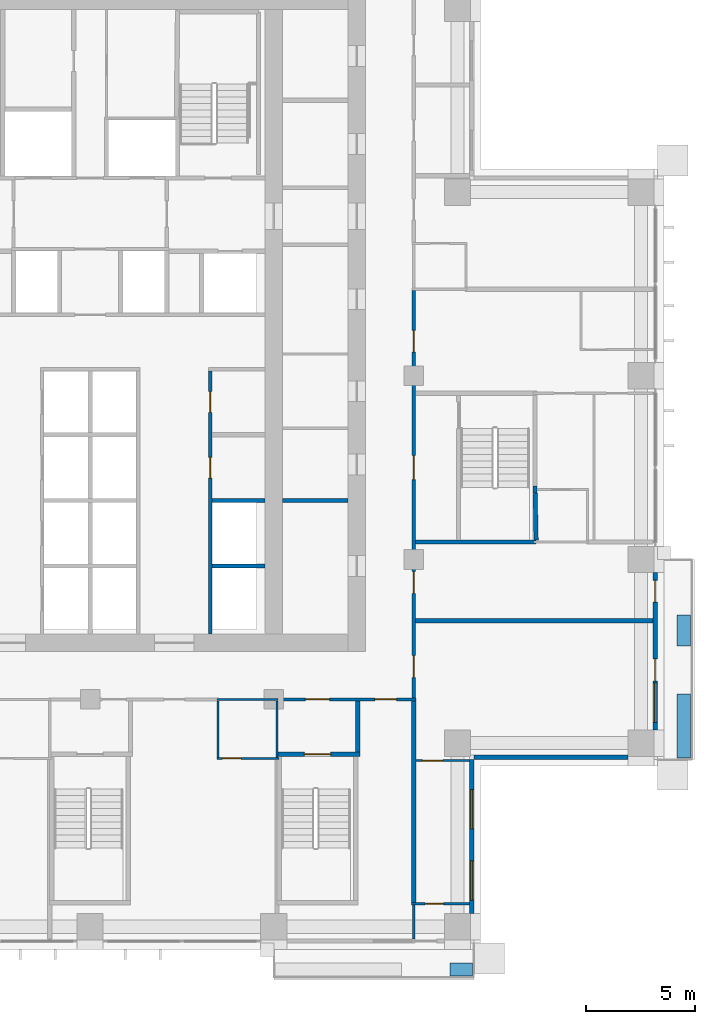
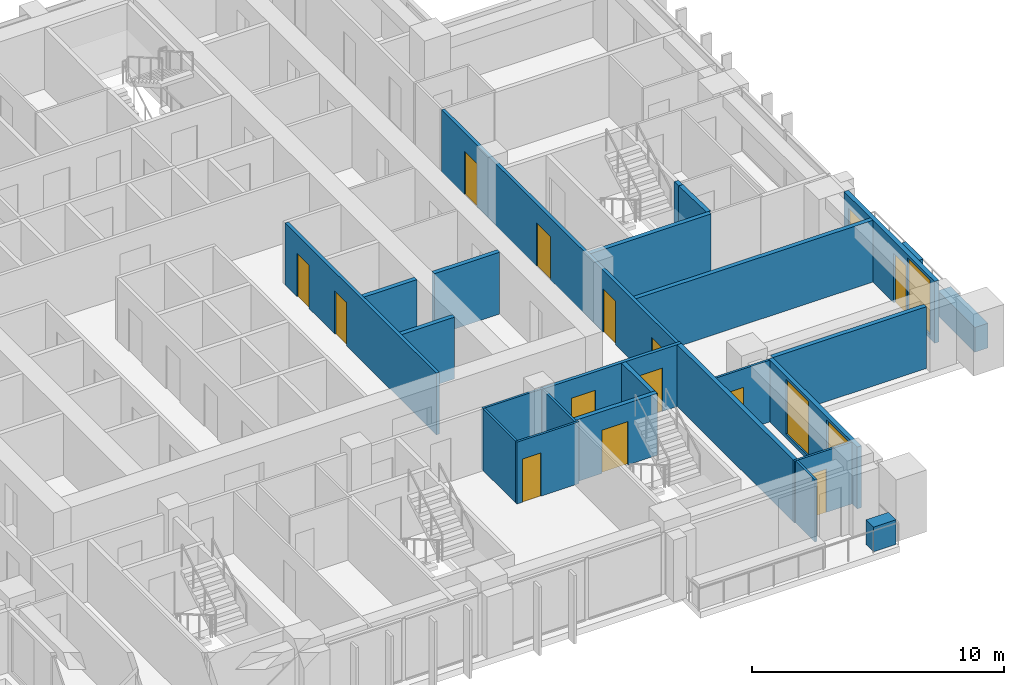
# One storey, part 12 of 21: 26 walls, 14 doors, 3 windows, 17 openings.
"""IFC4 building model written with IfcOpenShell, lengths in metres."""

from ifc_helpers import new_model, si_unit, direction, frame, frame_2d, origin, place, context, subcontext, project, spatial, rectangle, extrude, material, layer, layer_set, type_object, element, fill, save


model = new_model("IFC4")

# Units and contexts
model_context = context("Model", 3, precision=1e-05, world=origin(), true_north=direction((0.0, 1.0)))
body_context = subcontext(model_context, "Body", "Model", "MODEL_VIEW")
ifc_project = project(units=[si_unit("LENGTHUNIT", "METRE"), si_unit("AREAUNIT", "SQUARE_METRE"), si_unit("VOLUMEUNIT", "CUBIC_METRE"), si_unit("PLANEANGLEUNIT", "RADIAN"), si_unit("MASSUNIT", "GRAM", prefix="KILO")], contexts=[model_context])

# Site, building, storey
site_placement = place(None, origin())
site = spatial("IfcSite", under=ifc_project, at=site_placement, CompositionType="ELEMENT")
building_placement = place(site_placement, origin())
building = spatial("IfcBuilding", under=site, at=building_placement, Name="Vermilion Ogive Tower", CompositionType="ELEMENT")
storey_placement = place(building_placement, frame((0.0, 0.0, 118.35009765625)))
storey = spatial("IfcBuildingStorey", under=building, at=storey_placement, Name="L30", CompositionType="ELEMENT", Elevation=118.35009765625)

# Wall, opening, door
ifc_material_1 = material(Name="Gypsum board partition on steel studs", Category="steel")
ifc_layer_1 = layer(ifc_material_1, 0.10009765625)
ifc_layer_set_1 = layer_set([ifc_layer_1], Name="Partition 100 bath")
wall_type_1 = type_object("IfcWallType", Name="Partition 100 bath", PredefinedType="PARTITIONING", material=ifc_layer_set_1)
wall_1_placement = place(storey_placement, frame((14.699951171875, -19.949951171875, 0.0), z_axis=(0.0, 0.0, 1.0), x_axis=(1.0, 0.0, 0.0)))
wall_1 = element("IfcWall", 1, at=wall_1_placement, inside=storey, type_object=wall_type_1, Name="L30-W-W001", PredefinedType="PARTITIONING", context=body_context, shape_type="SweptSolid", body=[
    extrude(rectangle(XDim=2.650146484375, YDim=0.10009765625, at=frame_2d((1.3251953125, 0.0))), origin(), (0.0, 0.0, 1.0), 3.0),
])
opening_1_placement = place(wall_1_placement, frame((0.625, 0.0, 0.0)))
opening_1 = element("IfcOpeningElement", 2, at=opening_1_placement, cuts=wall_1, Name="Opening D2G6018", PredefinedType="OPENING", context=body_context, shape_type="SweptSolid", body=[
    extrude(rectangle(XDim=0.85009765625, YDim=2.10009765625, at=frame_2d((0.425048828125, 1.050048828125))), frame((0.0, 0.06005859375, 0.0), z_axis=(0.0, -1.0, 0.0), x_axis=(1.0, 0.0, 0.0)), (0.0, 0.0, 1.0), 0.1201171875),
])
ifc_material_2 = material(Name="Timber door leaf", Category="wood")
door_type_1 = type_object("IfcDoorType", Name="Bath door 850 x 2100 FD30", OperationType="SINGLE_SWING_LEFT", PredefinedType="DOOR", material=ifc_material_2)
door_1_placement = place(opening_1_placement, origin())
door_1 = element("IfcDoor", 3, at=door_1_placement, inside=storey, type_object=door_type_1, Name="L30-D-D018", OperationType="SINGLE_SWING_RIGHT", OverallHeight=2.10009765625, OverallWidth=0.85009765625, PredefinedType="DOOR", context=body_context, shape_type="SweptSolid", body=[
    extrude(rectangle(XDim=0.85009765625, YDim=2.10009765625, at=frame_2d((0.425048828125, 1.050048828125))), frame((0.0, 0.02490234375, 0.0), z_axis=(0.0, -1.0, 0.0), x_axis=(1.0, 0.0, 0.0)), (0.0, 0.0, 1.0), 0.050048828125),
])
fill(opening_1, door_1)

wall_2_placement = place(storey_placement, frame((5.802001953125, -13.300048828125, 0.0), z_axis=(0.0, 0.0, 1.0), x_axis=(1.0, 0.0, 0.0)))
wall_2 = element("IfcWall", 4, at=wall_2_placement, inside=storey, type_object=wall_type_1, Name="L30-W-W009", PredefinedType="PARTITIONING", context=body_context, shape_type="SweptSolid", body=[
    extrude(rectangle(XDim=2.847900390625, YDim=0.10009765625, at=frame_2d((1.423828125, 0.0))), origin(), (0.0, 0.0, 1.0), 3.0),
])
opening_2_placement = place(wall_2_placement, frame((0.248046875, 0.0, 0.0)))
opening_2 = element("IfcOpeningElement", 5, at=opening_2_placement, cuts=wall_2, Name="Opening D2G6015", PredefinedType="OPENING", context=body_context, shape_type="SweptSolid", body=[
    extrude(rectangle(XDim=0.85009765625, YDim=2.10009765625, at=frame_2d((0.425048828125, 1.050048828125))), frame((0.0, 0.06005859375, 0.0), z_axis=(0.0, -1.0, 0.0), x_axis=(1.0, 0.0, 0.0)), (0.0, 0.0, 1.0), 0.1201171875),
])
door_2_placement = place(opening_2_placement, origin())
door_2 = element("IfcDoor", 6, at=door_2_placement, inside=storey, type_object=door_type_1, Name="L30-D-D015", OperationType="SINGLE_SWING_LEFT", OverallHeight=2.10009765625, OverallWidth=0.85009765625, PredefinedType="DOOR", context=body_context, shape_type="SweptSolid", body=[
    extrude(rectangle(XDim=0.85009765625, YDim=2.10009765625, at=frame_2d((0.425048828125, 1.050048828125))), frame((0.0, 0.02490234375, 0.0), z_axis=(0.0, -1.0, 0.0), x_axis=(1.0, 0.0, 0.0)), (0.0, 0.0, 1.0), 0.050048828125),
])
fill(opening_2, door_2)

# Walls
wall_3_placement = place(storey_placement, frame((5.800048828125, -10.60009765625, 0.0), z_axis=(0.0, 0.0, 1.0), x_axis=(1.0, 0.0, 0.0)))
element("IfcWall", 7, at=wall_3_placement, inside=storey, type_object=wall_type_1, Name="L30-W-W016", PredefinedType="PARTITIONING", context=body_context, shape_type="SweptSolid", body=[
    extrude(rectangle(XDim=2.800048828125, YDim=0.10009765625, at=frame_2d((1.39990234375, 0.0))), origin(), (0.0, 0.0, 1.0), 3.0),
])
wall_4_placement = place(storey_placement, frame((5.85009765625, -13.248046875, 0.0), z_axis=(0.0, 0.0, 1.0), x_axis=(0.0, 1.0, 0.0)))
element("IfcWall", 8, at=wall_4_placement, inside=storey, type_object=wall_type_1, Name="L30-W-W062", PredefinedType="PARTITIONING", context=body_context, shape_type="SweptSolid", body=[
    extrude(rectangle(XDim=2.572998046875, YDim=0.10009765625, at=frame_2d((1.28662109375, 0.0))), origin(), (0.0, 0.0, 1.0), 3.0),
])
wall_5_placement = place(storey_placement, frame((8.550048828125, -13.25, 0.0), z_axis=(0.0, 0.0, 1.0), x_axis=(0.0, 1.0, 0.0)))
element("IfcWall", 9, at=wall_5_placement, inside=storey, type_object=wall_type_1, Name="L30-W-W064", PredefinedType="PARTITIONING", context=body_context, shape_type="SweptSolid", body=[
    extrude(rectangle(XDim=2.574951171875, YDim=0.10009765625, at=frame_2d((1.28759765625, 0.0))), origin(), (0.0, 0.0, 1.0), 3.0),
])
wall_6_placement = place(storey_placement, frame((14.800048828125, -21.550048828125, 0.0), z_axis=(0.0, 0.0, 1.0), x_axis=(0.0, 1.0, 0.0)))
element("IfcWall", 10, at=wall_6_placement, inside=storey, type_object=wall_type_1, Name="L30-W-W068", PredefinedType="PARTITIONING", context=body_context, shape_type="SweptSolid", body=[
    extrude(rectangle(XDim=1.550048828125, YDim=0.10009765625, at=frame_2d((0.77490234375, 0.0))), origin(), (0.0, 0.0, 1.0), 3.0),
])

# Wall, opening, door
ifc_material_3 = material(Name="Gypsum board partition on steel studs", Category="steel")
ifc_layer_2 = layer(ifc_material_3, 0.10009765625)
ifc_layer_set_2 = layer_set([ifc_layer_2], Name="Partition 100 inner")
wall_type_2 = type_object("IfcWallType", Name="Partition 100 inner", PredefinedType="PARTITIONING", material=ifc_layer_set_2)
wall_7_placement = place(storey_placement, frame((14.89990234375, -13.39990234375, 0.0), z_axis=(0.0, 0.0, 1.0), x_axis=(1.0, 0.0, 0.0)))
wall_7 = element("IfcWall", 11, at=wall_7_placement, inside=storey, type_object=wall_type_2, Name="L30-W-W007", PredefinedType="PARTITIONING", context=body_context, shape_type="SweptSolid", body=[
    extrude(rectangle(XDim=2.4501953125, YDim=0.10009765625, at=frame_2d((1.22509765625, 0.0))), origin(), (0.0, 0.0, 1.0), 3.0),
])
opening_3_placement = place(wall_7_placement, frame((0.30029296875, 0.0, 0.0)))
opening_3 = element("IfcOpeningElement", 12, at=opening_3_placement, cuts=wall_7, Name="Opening D2G6017", PredefinedType="OPENING", context=body_context, shape_type="SweptSolid", body=[
    extrude(rectangle(XDim=0.949951171875, YDim=2.10009765625, at=frame_2d((0.47509765625, 1.050048828125))), frame((0.0, 0.06005859375, 0.0), z_axis=(0.0, -1.0, 0.0), x_axis=(1.0, 0.0, 0.0)), (0.0, 0.0, 1.0), 0.1201171875),
])
ifc_material_4 = material(Name="Timber door leaf", Category="wood")
door_type_2 = type_object("IfcDoorType", Name="Inner door 950 x 2100 FD30", OperationType="SINGLE_SWING_LEFT", PredefinedType="DOOR", material=ifc_material_4)
door_3_placement = place(opening_3_placement, origin())
door_3 = element("IfcDoor", 13, at=door_3_placement, inside=storey, type_object=door_type_2, Name="L30-D-D017", OperationType="SINGLE_SWING_RIGHT", OverallHeight=2.10009765625, OverallWidth=0.949951171875, PredefinedType="DOOR", context=body_context, shape_type="SweptSolid", body=[
    extrude(rectangle(XDim=0.949951171875, YDim=2.10009765625, at=frame_2d((0.47509765625, 1.050048828125))), frame((0.0, 0.02490234375, 0.0), z_axis=(0.0, -1.0, 0.0), x_axis=(1.0, 0.0, 0.0)), (0.0, 0.0, 1.0), 0.050048828125),
])
fill(opening_3, door_3)

# Wall, openings, doors
ifc_material_5 = material(Name="Gypsum board partition on steel studs", Category="steel")
ifc_layer_3 = layer(ifc_material_5, 0.14990234375)
ifc_layer_set_3 = layer_set([ifc_layer_3], Name="Partition 150 corridor")
wall_type_3 = type_object("IfcWallType", Name="Partition 150 corridor", PredefinedType="PARTITIONING", material=ifc_layer_set_3)
wall_8_placement = place(storey_placement, frame((8.5, -10.60009765625, 0.0), z_axis=(0.0, 0.0, 1.0), x_axis=(1.0, 0.0, 0.0)))
wall_8 = element("IfcWall", 14, at=wall_8_placement, inside=storey, type_object=wall_type_3, Name="L30-W-W017", PredefinedType="PARTITIONING", context=body_context, shape_type="SweptSolid", body=[
    extrude(rectangle(XDim=6.39990234375, YDim=0.14990234375, at=frame_2d((3.199951171875, 0.0))), origin(), (0.0, 0.0, 1.0), 3.0),
])
opening_4_placement = place(wall_8_placement, frame((1.35009765625, 0.0, 0.0)))
opening_4 = element("IfcOpeningElement", 15, at=opening_4_placement, cuts=wall_8, Name="Opening D2G6032", PredefinedType="OPENING", context=body_context, shape_type="SweptSolid", body=[
    extrude(rectangle(XDim=1.10009765625, YDim=2.10009765625, at=frame_2d((0.550048828125, 1.050048828125))), frame((0.0, 0.0849609375, 0.0), z_axis=(0.0, -1.0, 0.0), x_axis=(1.0, 0.0, 0.0)), (0.0, 0.0, 1.0), 0.169921875),
])
opening_5_placement = place(wall_8_placement, frame((4.52490234375, 0.0, 0.0)))
opening_5 = element("IfcOpeningElement", 16, at=opening_5_placement, cuts=wall_8, Name="Opening D2G6039", PredefinedType="OPENING", context=body_context, shape_type="SweptSolid", body=[
    extrude(rectangle(XDim=1.0, YDim=2.10009765625, at=frame_2d((0.5, 1.050048828125))), frame((0.0, 0.0849609375, 0.0), z_axis=(0.0, -1.0, 0.0), x_axis=(1.0, 0.0, 0.0)), (0.0, 0.0, 1.0), 0.169921875),
])
ifc_material_6 = material(Name="Timber door leaf", Category="wood")
door_type_3 = type_object("IfcDoorType", Name="Stair door 1100 x 2100 FD60S", OperationType="SINGLE_SWING_LEFT", PredefinedType="DOOR", material=ifc_material_6)
door_4_placement = place(opening_4_placement, origin())
door_4 = element("IfcDoor", 17, at=door_4_placement, inside=storey, type_object=door_type_3, Name="L30-D-D032", OperationType="SINGLE_SWING_RIGHT", OverallHeight=2.10009765625, OverallWidth=1.10009765625, PredefinedType="DOOR", context=body_context, shape_type="SweptSolid", body=[
    extrude(rectangle(XDim=1.10009765625, YDim=2.10009765625, at=frame_2d((0.550048828125, 1.050048828125))), frame((0.0, 0.02490234375, 0.0), z_axis=(0.0, -1.0, 0.0), x_axis=(1.0, 0.0, 0.0)), (0.0, 0.0, 1.0), 0.050048828125),
])
fill(opening_4, door_4)
ifc_material_7 = material(Name="Timber door leaf", Category="wood")
door_type_4 = type_object("IfcDoorType", Name="Unit door 1000 x 2100 FD30S", OperationType="SINGLE_SWING_LEFT", PredefinedType="DOOR", material=ifc_material_7)
door_5_placement = place(opening_5_placement, origin())
door_5 = element("IfcDoor", 18, at=door_5_placement, inside=storey, type_object=door_type_4, Name="L30-D-D039", OperationType="SINGLE_SWING_RIGHT", OverallHeight=2.10009765625, OverallWidth=1.0, PredefinedType="DOOR", context=body_context, shape_type="SweptSolid", body=[
    extrude(rectangle(XDim=1.0, YDim=2.10009765625, at=frame_2d((0.5, 1.050048828125))), frame((0.0, 0.02490234375, 0.0), z_axis=(0.0, -1.0, 0.0), x_axis=(1.0, 0.0, 0.0)), (0.0, 0.0, 1.0), 0.050048828125),
])
fill(opening_5, door_5)

wall_9_placement = place(storey_placement, frame((14.800048828125, -10.52490234375, 0.0), z_axis=(0.0, 0.0, 1.0), x_axis=(0.0, 1.0, 0.0)))
wall_9 = element("IfcWall", 19, at=wall_9_placement, inside=storey, type_object=wall_type_3, Name="L30-W-W070", PredefinedType="PARTITIONING", context=body_context, shape_type="SweptSolid", body=[
    extrude(rectangle(XDim=18.635009765625, YDim=0.14990234375, at=frame_2d((9.3173828125, 0.0))), origin(), (0.0, 0.0, 1.0), 3.0),
])
opening_6_placement = place(wall_9_placement, frame((0.9248046875, 0.0, 0.0)))
opening_6 = element("IfcOpeningElement", 20, at=opening_6_placement, cuts=wall_9, Name="Opening D2G6016", PredefinedType="OPENING", context=body_context, shape_type="SweptSolid", body=[
    extrude(rectangle(XDim=1.0, YDim=2.10009765625, at=frame_2d((0.5, 1.050048828125))), frame((0.0, 0.0849609375, 0.0), z_axis=(0.0, -1.0, 0.0), x_axis=(1.0, 0.0, 0.0)), (0.0, 0.0, 1.0), 0.169921875),
])
opening_7_placement = place(wall_9_placement, frame((15.804931640625, 0.0, 0.0)))
opening_7 = element("IfcOpeningElement", 21, at=opening_7_placement, cuts=wall_9, Name="Opening D2G6021", PredefinedType="OPENING", context=body_context, shape_type="SweptSolid", body=[
    extrude(rectangle(XDim=1.0, YDim=2.10009765625, at=frame_2d((0.5, 1.050048828125))), frame((0.0, 0.0849609375, 0.0), z_axis=(0.0, -1.0, 0.0), x_axis=(1.0, 0.0, 0.0)), (0.0, 0.0, 1.0), 0.169921875),
])
opening_8_placement = place(wall_9_placement, frame((9.974853515625, 0.0, 0.0)))
opening_8 = element("IfcOpeningElement", 22, at=opening_8_placement, cuts=wall_9, Name="Opening D2G6034", PredefinedType="OPENING", context=body_context, shape_type="SweptSolid", body=[
    extrude(rectangle(XDim=1.10009765625, YDim=2.10009765625, at=frame_2d((0.550048828125, 1.050048828125))), frame((0.0, 0.0849609375, 0.0), z_axis=(0.0, -1.0, 0.0), x_axis=(1.0, 0.0, 0.0)), (0.0, 0.0, 1.0), 0.169921875),
])
opening_9_placement = place(wall_9_placement, frame((4.77490234375, 0.0, 0.0)))
opening_9 = element("IfcOpeningElement", 23, at=opening_9_placement, cuts=wall_9, Name="Opening D2G6041", PredefinedType="OPENING", context=body_context, shape_type="SweptSolid", body=[
    extrude(rectangle(XDim=1.0, YDim=2.10009765625, at=frame_2d((0.5, 1.050048828125))), frame((0.0, 0.0849609375, 0.0), z_axis=(0.0, -1.0, 0.0), x_axis=(1.0, 0.0, 0.0)), (0.0, 0.0, 1.0), 0.169921875),
])
door_6_placement = place(opening_8_placement, origin())
door_6 = element("IfcDoor", 24, at=door_6_placement, inside=storey, type_object=door_type_3, Name="L30-D-D034", OperationType="SINGLE_SWING_LEFT", OverallHeight=2.10009765625, OverallWidth=1.10009765625, PredefinedType="DOOR", context=body_context, shape_type="SweptSolid", body=[
    extrude(rectangle(XDim=1.10009765625, YDim=2.10009765625, at=frame_2d((0.550048828125, 1.050048828125))), frame((0.0, 0.02490234375, 0.0), z_axis=(0.0, -1.0, 0.0), x_axis=(1.0, 0.0, 0.0)), (0.0, 0.0, 1.0), 0.050048828125),
])
fill(opening_8, door_6)
door_7_placement = place(opening_6_placement, origin())
door_7 = element("IfcDoor", 25, at=door_7_placement, inside=storey, type_object=door_type_4, Name="L30-D-D016", OperationType="SINGLE_SWING_RIGHT", OverallHeight=2.10009765625, OverallWidth=1.0, PredefinedType="DOOR", context=body_context, shape_type="SweptSolid", body=[
    extrude(rectangle(XDim=1.0, YDim=2.10009765625, at=frame_2d((0.5, 1.050048828125))), frame((0.0, 0.02490234375, 0.0), z_axis=(0.0, -1.0, 0.0), x_axis=(1.0, 0.0, 0.0)), (0.0, 0.0, 1.0), 0.050048828125),
])
fill(opening_6, door_7)
door_8_placement = place(opening_7_placement, origin())
door_8 = element("IfcDoor", 26, at=door_8_placement, inside=storey, type_object=door_type_4, Name="L30-D-D021", OperationType="SINGLE_SWING_LEFT", OverallHeight=2.10009765625, OverallWidth=1.0, PredefinedType="DOOR", context=body_context, shape_type="SweptSolid", body=[
    extrude(rectangle(XDim=1.0, YDim=2.10009765625, at=frame_2d((0.5, 1.050048828125))), frame((0.0, 0.02490234375, 0.0), z_axis=(0.0, -1.0, 0.0), x_axis=(1.0, 0.0, 0.0)), (0.0, 0.0, 1.0), 0.050048828125),
])
fill(opening_7, door_8)
door_9_placement = place(opening_9_placement, origin())
door_9 = element("IfcDoor", 27, at=door_9_placement, inside=storey, type_object=door_type_4, Name="L30-D-D041", OperationType="SINGLE_SWING_RIGHT", OverallHeight=2.10009765625, OverallWidth=1.0, PredefinedType="DOOR", context=body_context, shape_type="SweptSolid", body=[
    extrude(rectangle(XDim=1.0, YDim=2.10009765625, at=frame_2d((0.5, 1.050048828125))), frame((0.0, 0.02490234375, 0.0), z_axis=(0.0, -1.0, 0.0), x_axis=(1.0, 0.0, 0.0)), (0.0, 0.0, 1.0), 0.050048828125),
])
fill(opening_9, door_9)

wall_10_placement = place(storey_placement, frame((5.5, -7.59912109375, 0.0), z_axis=(0.0, 0.0, 1.0), x_axis=(0.0, 1.0, 0.0)))
wall_10 = element("IfcWall", 28, at=wall_10_placement, inside=storey, type_object=wall_type_3, Name="L30-CK-W-W040", PredefinedType="PARTITIONING", context=body_context, shape_type="SweptSolid", body=[
    extrude(rectangle(XDim=12.024169921875, YDim=0.14990234375, at=frame_2d((6.01220703125, 0.0))), origin(), (0.0, 0.0, 1.0), 3.0),
])
opening_10_placement = place(wall_10_placement, frame((7.1240234375, 0.0, 0.0)))
opening_10 = element("IfcOpeningElement", 29, at=opening_10_placement, cuts=wall_10, Name="Opening DAA258", PredefinedType="OPENING", context=body_context, shape_type="SweptSolid", body=[
    extrude(rectangle(XDim=0.949951171875, YDim=2.10009765625, at=frame_2d((0.47509765625, 1.050048828125))), frame((0.0, 0.0849609375, 0.0), z_axis=(0.0, -1.0, 0.0), x_axis=(1.0, 0.0, 0.0)), (0.0, 0.0, 1.0), 0.169921875),
])
opening_11_placement = place(wall_10_placement, frame((10.1240234375, 0.0, 0.0)))
opening_11 = element("IfcOpeningElement", 30, at=opening_11_placement, cuts=wall_10, Name="Opening DAA259", PredefinedType="OPENING", context=body_context, shape_type="SweptSolid", body=[
    extrude(rectangle(XDim=0.949951171875, YDim=2.10009765625, at=frame_2d((0.47509765625, 1.050048828125))), frame((0.0, 0.0849609375, 0.0), z_axis=(0.0, -1.0, 0.0), x_axis=(1.0, 0.0, 0.0)), (0.0, 0.0, 1.0), 0.169921875),
])
ifc_material_8 = material(Name="Timber door leaf", Category="wood")
door_type_5 = type_object("IfcDoorType", Name="Service door 950 x 2100 FD60", OperationType="SINGLE_SWING_LEFT", PredefinedType="DOOR", material=ifc_material_8)
door_10_placement = place(opening_10_placement, origin())
door_10 = element("IfcDoor", 31, at=door_10_placement, inside=storey, type_object=door_type_5, Name="L30-CK-D-D009", OperationType="SINGLE_SWING_RIGHT", OverallHeight=2.10009765625, OverallWidth=0.949951171875, PredefinedType="DOOR", context=body_context, shape_type="SweptSolid", body=[
    extrude(rectangle(XDim=0.949951171875, YDim=2.10009765625, at=frame_2d((0.47509765625, 1.050048828125))), frame((0.0, 0.02490234375, 0.0), z_axis=(0.0, -1.0, 0.0), x_axis=(1.0, 0.0, 0.0)), (0.0, 0.0, 1.0), 0.050048828125),
])
fill(opening_10, door_10)
door_11_placement = place(opening_11_placement, origin())
door_11 = element("IfcDoor", 32, at=door_11_placement, inside=storey, type_object=door_type_5, Name="L30-CK-D-D010", OperationType="SINGLE_SWING_RIGHT", OverallHeight=2.10009765625, OverallWidth=0.949951171875, PredefinedType="DOOR", context=body_context, shape_type="SweptSolid", body=[
    extrude(rectangle(XDim=0.949951171875, YDim=2.10009765625, at=frame_2d((0.47509765625, 1.050048828125))), frame((0.0, 0.02490234375, 0.0), z_axis=(0.0, -1.0, 0.0), x_axis=(1.0, 0.0, 0.0)), (0.0, 0.0, 1.0), 0.050048828125),
])
fill(opening_11, door_11)

# Walls
ifc_material_9 = material(Name="Gypsum board partition on steel studs", Category="steel")
ifc_layer_4 = layer(ifc_material_9, 0.199951171875)
ifc_layer_set_4 = layer_set([ifc_layer_4], Name="Partition 200 party")
wall_type_4 = type_object("IfcWallType", Name="Partition 200 party", PredefinedType="PARTITIONING", material=ifc_layer_set_4)
wall_11_placement = place(storey_placement, frame((14.875, -7.0, 0.0), z_axis=(0.0, 0.0, 1.0), x_axis=(1.0, 0.0, 0.0)))
element("IfcWall", 33, at=wall_11_placement, inside=storey, type_object=wall_type_4, Name="L30-W-W019", PredefinedType="PARTITIONING", context=body_context, shape_type="SweptSolid", body=[
    extrude(rectangle(XDim=10.875, YDim=0.199951171875, at=frame_2d((5.4375, 0.0))), origin(), (0.0, 0.0, 1.0), 3.0),
])
wall_12_placement = place(storey_placement, frame((12.25, -12.998046875, 0.0), z_axis=(0.0, 0.0, 1.0), x_axis=(0.0, 1.0, 0.0)))
element("IfcWall", 34, at=wall_12_placement, inside=storey, type_object=wall_type_4, Name="L30-W-W067", PredefinedType="PARTITIONING", context=body_context, shape_type="SweptSolid", body=[
    extrude(rectangle(XDim=2.322998046875, YDim=0.199951171875, at=frame_2d((1.16162109375, 0.0))), origin(), (0.0, 0.0, 1.0), 3.0),
])
wall_13_placement = place(storey_placement, frame((14.800048828125, -19.89990234375, 0.0), z_axis=(0.0, 0.0, 1.0), x_axis=(0.0, 1.0, 0.0)))
element("IfcWall", 35, at=wall_13_placement, inside=storey, type_object=wall_type_4, Name="L30-W-W069", PredefinedType="PARTITIONING", context=body_context, shape_type="SweptSolid", body=[
    extrude(rectangle(XDim=9.224853515625, YDim=0.199951171875, at=frame_2d((4.6123046875, 0.0))), origin(), (0.0, 0.0, 1.0), 3.0),
])
for number, where, z_axis, x_axis, name in (
    (36, (5.574951171875, -4.5, 0.0), (0.0, 0.0, 1.0), (1.0, 0.0, 0.0), "L30-CK-W-W003"),
    (37, (5.574951171875, -1.5, 0.0), (0.0, 0.0, 1.0), (1.0, 0.0, 0.0), "L30-CK-W-W006"),
):
    element("IfcWall", number, at=place(storey_placement, frame(where, z_axis=z_axis, x_axis=x_axis)), inside=storey, type_object=wall_type_4, Name=name, PredefinedType="PARTITIONING", context=body_context, shape_type="SweptSolid", body=[
        extrude(rectangle(XDim=2.424072265625, YDim=0.199951171875, at=frame_2d((1.2119140625, 0.0))), origin(), (0.0, 0.0, 1.0), 3.0),
    ])
wall_14_placement = place(storey_placement, frame((8.801025390625, -1.5, 0.0), z_axis=(0.0, 0.0, 1.0), x_axis=(1.0, 0.0, 0.0)))
element("IfcWall", 38, at=wall_14_placement, inside=storey, type_object=wall_type_4, Name="L30-CKE-W-W001", PredefinedType="PARTITIONING", context=body_context, shape_type="SweptSolid", body=[
    extrude(rectangle(XDim=2.998046875, YDim=0.199951171875, at=frame_2d((1.4990234375, 0.0))), origin(), (0.0, 0.0, 1.0), 3.0),
])

# Wall, opening, door
ifc_material_10 = material(Name="Concrete B60", Category="concrete")
ifc_layer_5 = layer(ifc_material_10, 0.199951171875)
ifc_layer_set_5 = layer_set([ifc_layer_5], Name="Stair shaft wall 200 Concrete B60")
wall_type_5 = type_object("IfcWallType", Name="Stair shaft wall 200 Concrete B60", PredefinedType="SOLIDWALL", material=ifc_layer_set_5)
wall_15_placement = place(storey_placement, frame((8.60205078125, -13.10009765625, 0.0), z_axis=(0.0, 0.0, 1.0), x_axis=(1.0, 0.0, 0.0)))
wall_15 = element("IfcWall", 39, at=wall_15_placement, inside=storey, type_object=wall_type_5, Name="L30-W-W012", PredefinedType="SOLIDWALL", context=body_context, shape_type="SweptSolid", body=[
    extrude(rectangle(XDim=3.745849609375, YDim=0.199951171875, at=frame_2d((1.873046875, 0.0))), origin(), (0.0, 0.0, 1.0), 3.0),
])
opening_12_placement = place(wall_15_placement, frame((1.197998046875, 0.0, 0.0)))
opening_12 = element("IfcOpeningElement", 40, at=opening_12_placement, cuts=wall_15, Name="Opening D2G6033", PredefinedType="OPENING", context=body_context, shape_type="SweptSolid", body=[
    extrude(rectangle(XDim=1.199951171875, YDim=2.10009765625, at=frame_2d((0.60009765625, 1.050048828125))), frame((0.0, 0.10986328125, 0.0), z_axis=(0.0, -1.0, 0.0), x_axis=(1.0, 0.0, 0.0)), (0.0, 0.0, 1.0), 0.219970703125),
])
ifc_material_11 = material(Name="Timber door leaf", Category="wood")
door_type_6 = type_object("IfcDoorType", Name="Stair door 1200 x 2100 FD60S", OperationType="SINGLE_SWING_LEFT", PredefinedType="DOOR", material=ifc_material_11)
door_12_placement = place(opening_12_placement, origin())
door_12 = element("IfcDoor", 41, at=door_12_placement, inside=storey, type_object=door_type_6, Name="L30-D-D033", OperationType="SINGLE_SWING_RIGHT", OverallHeight=2.10009765625, OverallWidth=1.199951171875, PredefinedType="DOOR", context=body_context, shape_type="SweptSolid", body=[
    extrude(rectangle(XDim=1.199951171875, YDim=2.10009765625, at=frame_2d((0.60009765625, 1.050048828125))), frame((0.0, 0.02490234375, 0.0), z_axis=(0.0, -1.0, 0.0), x_axis=(1.0, 0.0, 0.0)), (0.0, 0.0, 1.0), 0.050048828125),
])
fill(opening_12, door_12)

# Walls
wall_16_placement = place(storey_placement, frame((20.400146484375, -3.300048828125, 0.0), z_axis=(0.0, 0.0, 1.0), x_axis=(-0.021771342749, 0.999762976227, 0.0)))
element("IfcWall", 42, at=wall_16_placement, inside=storey, type_object=wall_type_5, Name="L30-W-W075", PredefinedType="SOLIDWALL", context=body_context, shape_type="SweptSolid", body=[
    extrude(rectangle(XDim=2.130615234375, YDim=0.199951171875, at=frame_2d((1.0654296875, 0.0))), origin(), (0.0, 0.0, 1.0), 3.0),
])
wall_17_placement = place(storey_placement, frame((20.35009765625, -1.169921875, 0.0), z_axis=(0.0, 0.0, 1.0), x_axis=(0.0, 1.0, 0.0)))
element("IfcWall", 43, at=wall_17_placement, inside=storey, type_object=wall_type_5, Name="L30-SW-ST8-E1", PredefinedType="SOLIDWALL", context=body_context, shape_type="SweptSolid", body=[
    extrude(rectangle(XDim=0.33984375, YDim=0.199951171875, at=frame_2d((0.169921875, 0.0))), origin(), (0.0, 0.0, 1.0), 3.0),
])
wall_18_placement = place(storey_placement, frame((14.875, -3.39990234375, 0.0), z_axis=(0.0, 0.0, 1.0), x_axis=(1.0, 0.0, 0.0)))
element("IfcWall", 44, at=wall_18_placement, inside=storey, type_object=wall_type_5, Name="L30-W-W022-A", PredefinedType="SOLIDWALL", context=body_context, shape_type="SweptSolid", body=[
    extrude(rectangle(XDim=5.52490234375, YDim=0.199951171875, at=frame_2d((2.762451171875, 0.0))), origin(), (0.0, 0.0, 1.0), 3.0),
])
ifc_material_12 = material(Name="Concrete B40", Category="concrete")
ifc_layer_6 = layer(ifc_material_12, 0.60009765625)
ifc_layer_set_6 = layer_set([ifc_layer_6], Name="Structural planter")
wall_type_6 = type_object("IfcWallType", Name="Structural planter", PredefinedType="USERDEFINED", material=ifc_layer_set_6)
wall_19_placement = place(storey_placement, frame((16.449951171875, -22.9541015625, -0.0400390625), z_axis=(0.0, 0.0, 1.0), x_axis=(1.0, 0.0, 0.0)))
element("IfcWall", 45, at=wall_19_placement, inside=storey, type_object=wall_type_6, Name="Planter S04A2", ObjectType="PLANTER", PredefinedType="USERDEFINED", context=body_context, shape_type="SweptSolid", body=[
    extrude(rectangle(XDim=1.0400390625, YDim=0.60009765625, at=frame_2d((0.52001953125, 0.0))), origin(), (0.0, 0.0, 1.0), 1.199951171875),
])
wall_20_placement = place(storey_placement, frame((27.154052734375, -13.2900390625, -0.0400390625), z_axis=(0.0, 0.0, 1.0), x_axis=(0.0, 1.0, 0.0)))
element("IfcWall", 46, at=wall_20_placement, inside=storey, type_object=wall_type_6, Name="Planter E01A1", ObjectType="PLANTER", PredefinedType="USERDEFINED", context=body_context, shape_type="SweptSolid", body=[
    extrude(rectangle(XDim=2.93994140625, YDim=0.60009765625, at=frame_2d((1.469970703125, 0.0))), origin(), (0.0, 0.0, 1.0), 1.199951171875),
])
wall_21_placement = place(storey_placement, frame((27.154052734375, -8.14990234375, -0.0400390625), z_axis=(0.0, 0.0, 1.0), x_axis=(0.0, 1.0, 0.0)))
element("IfcWall", 47, at=wall_21_placement, inside=storey, type_object=wall_type_6, Name="Planter E01A2", ObjectType="PLANTER", PredefinedType="USERDEFINED", context=body_context, shape_type="SweptSolid", body=[
    extrude(rectangle(XDim=1.39990234375, YDim=0.60009765625, at=frame_2d((0.699951171875, 0.0))), origin(), (0.0, 0.0, 1.0), 1.199951171875),
])

# Wall, openings, windows
ifc_material_13 = material(Name="Aluminium window wall framing", Category="aluminium")
ifc_layer_7 = layer(ifc_material_13, 0.199951171875)
ifc_layer_set_7 = layer_set([ifc_layer_7], Name="Window wall")
wall_type_7 = type_object("IfcWallType", Name="Window wall", PredefinedType="STANDARD", material=ifc_layer_set_7)
wall_22_placement = place(storey_placement, frame((17.449951171875, -20.39990234375, 0.0), z_axis=(0.0, 0.0, 1.0), x_axis=(0.0, 1.0, 0.0)))
wall_22 = element("IfcWall", 48, at=wall_22_placement, inside=storey, type_object=wall_type_7, Name="Window wall X11", PredefinedType="STANDARD", context=body_context, shape_type="SweptSolid", body=[
    extrude(rectangle(XDim=7.0498046875, YDim=0.199951171875, at=frame_2d((3.52490234375, 0.0))), origin(), (0.0, 0.0, 1.0), 3.0),
])
opening_13_placement = place(wall_22_placement, frame((0.6201171875, 0.0, 0.199951171875)))
opening_13 = element("IfcOpeningElement", 49, at=opening_13_placement, cuts=wall_22, Name="Opening W1-X195", PredefinedType="OPENING", context=body_context, shape_type="SweptSolid", body=[
    extrude(rectangle(XDim=1.800048828125, YDim=2.64990234375, at=frame_2d((0.89990234375, 1.324951171875))), frame((0.0, 0.10986328125, 0.0), z_axis=(0.0, -1.0, 0.0), x_axis=(1.0, 0.0, 0.0)), (0.0, 0.0, 1.0), 0.219970703125),
])
opening_14_placement = place(wall_22_placement, frame((3.875, 0.0, 0.199951171875)))
opening_14 = element("IfcOpeningElement", 50, at=opening_14_placement, cuts=wall_22, Name="Opening W1-X196", PredefinedType="OPENING", context=body_context, shape_type="SweptSolid", body=[
    extrude(rectangle(XDim=1.800048828125, YDim=2.64990234375, at=frame_2d((0.89990234375, 1.324951171875))), frame((0.0, 0.10986328125, 0.0), z_axis=(0.0, -1.0, 0.0), x_axis=(1.0, 0.0, 0.0)), (0.0, 0.0, 1.0), 0.219970703125),
])
ifc_material_14 = material(Name="Aluminium framed double glazing", Category="aluminium")
window_type = type_object("IfcWindowType", Name="Guest window W1", PartitioningType="SINGLE_PANEL", PredefinedType="WINDOW", material=ifc_material_14)
window_1_placement = place(opening_13_placement, origin())
window_1 = element("IfcWindow", 51, at=window_1_placement, inside=storey, type_object=window_type, Name="Window X195", OverallHeight=2.64990234375, OverallWidth=1.800048828125, PartitioningType="SINGLE_PANEL", PredefinedType="WINDOW", context=body_context, shape_type="SweptSolid", body=[
    extrude(rectangle(XDim=1.800048828125, YDim=2.64990234375, at=frame_2d((0.89990234375, 1.324951171875))), frame((0.0, 0.030029296875, 0.0), z_axis=(0.0, -1.0, 0.0), x_axis=(1.0, 0.0, 0.0)), (0.0, 0.0, 1.0), 0.06005859375),
])
fill(opening_13, window_1)
window_2_placement = place(opening_14_placement, origin())
window_2 = element("IfcWindow", 52, at=window_2_placement, inside=storey, type_object=window_type, Name="Window X196", OverallHeight=2.64990234375, OverallWidth=1.800048828125, PartitioningType="SINGLE_PANEL", PredefinedType="WINDOW", context=body_context, shape_type="SweptSolid", body=[
    extrude(rectangle(XDim=1.800048828125, YDim=2.64990234375, at=frame_2d((0.89990234375, 1.324951171875))), frame((0.0, 0.030029296875, 0.0), z_axis=(0.0, -1.0, 0.0), x_axis=(1.0, 0.0, 0.0)), (0.0, 0.0, 1.0), 0.06005859375),
])
fill(opening_14, window_2)

# Wall
wall_23_placement = place(storey_placement, frame((17.550048828125, -13.25, 0.0), z_axis=(0.0, 0.0, 1.0), x_axis=(1.0, 0.0, 0.0)))
element("IfcWall", 53, at=wall_23_placement, inside=storey, type_object=wall_type_7, Name="Window wall X21", PredefinedType="STANDARD", context=body_context, shape_type="SweptSolid", body=[
    extrude(rectangle(XDim=7.050048828125, YDim=0.199951171875, at=frame_2d((3.52490234375, 0.0))), origin(), (0.0, 0.0, 1.0), 3.0),
])

# Wall, openings, doors, window
wall_24_placement = place(storey_placement, frame((25.85009765625, -12.0, 0.0), z_axis=(0.0, 0.0, 1.0), x_axis=(0.0, 1.0, 0.0)))
wall_24 = element("IfcWall", 54, at=wall_24_placement, inside=storey, type_object=wall_type_7, Name="Window wall E1", PredefinedType="STANDARD", context=body_context, shape_type="SweptSolid", body=[
    extrude(rectangle(XDim=7.199951171875, YDim=0.199951171875, at=frame_2d((3.60009765625, 0.0))), origin(), (0.0, 0.0, 1.0), 3.0),
])
opening_15_placement = place(wall_24_placement, frame((0.35009765625, 0.0, 0.199951171875)))
opening_15 = element("IfcOpeningElement", 55, at=opening_15_placement, cuts=wall_24, Name="Opening W1-E97", PredefinedType="OPENING", context=body_context, shape_type="SweptSolid", body=[
    extrude(rectangle(XDim=1.800048828125, YDim=2.64990234375, at=frame_2d((0.89990234375, 1.324951171875))), frame((0.0, 0.10986328125, 0.0), z_axis=(0.0, -1.0, 0.0), x_axis=(1.0, 0.0, 0.0)), (0.0, 0.0, 1.0), 0.219970703125),
])
opening_16_placement = place(wall_24_placement, frame((2.25, 0.0, 0.0)))
opening_16 = element("IfcOpeningElement", 56, at=opening_16_placement, cuts=wall_24, Name="Opening D1-E97", PredefinedType="OPENING", context=body_context, shape_type="SweptSolid", body=[
    extrude(rectangle(XDim=1.0, YDim=2.39990234375, at=frame_2d((0.5, 1.199951171875))), frame((0.0, 0.10986328125, 0.0), z_axis=(0.0, -1.0, 0.0), x_axis=(1.0, 0.0, 0.0)), (0.0, 0.0, 1.0), 0.219970703125),
])
opening_17_placement = place(wall_24_placement, frame((5.85009765625, 0.0, 0.0)))
opening_17 = element("IfcOpeningElement", 57, at=opening_17_placement, cuts=wall_24, Name="Opening D1-E98", PredefinedType="OPENING", context=body_context, shape_type="SweptSolid", body=[
    extrude(rectangle(XDim=1.0, YDim=2.39990234375, at=frame_2d((0.5, 1.199951171875))), frame((0.0, 0.10986328125, 0.0), z_axis=(0.0, -1.0, 0.0), x_axis=(1.0, 0.0, 0.0)), (0.0, 0.0, 1.0), 0.219970703125),
])
ifc_material_15 = material(Name="Aluminium framed glazed door", Category="aluminium")
door_type_7 = type_object("IfcDoorType", Name="Balcony door D1", OperationType="SINGLE_SWING_LEFT", PredefinedType="DOOR", material=ifc_material_15)
door_13_placement = place(opening_16_placement, origin())
door_13 = element("IfcDoor", 58, at=door_13_placement, inside=storey, type_object=door_type_7, Name="Balcony door E97", OperationType="SINGLE_SWING_LEFT", OverallHeight=2.39990234375, OverallWidth=1.0, PredefinedType="DOOR", context=body_context, shape_type="SweptSolid", body=[
    extrude(rectangle(XDim=1.0, YDim=2.39990234375, at=frame_2d((0.5, 1.199951171875))), frame((0.0, 0.02490234375, 0.0), z_axis=(0.0, -1.0, 0.0), x_axis=(1.0, 0.0, 0.0)), (0.0, 0.0, 1.0), 0.050048828125),
])
fill(opening_16, door_13)
door_14_placement = place(opening_17_placement, origin())
door_14 = element("IfcDoor", 59, at=door_14_placement, inside=storey, type_object=door_type_7, Name="Balcony door E98", OperationType="SINGLE_SWING_LEFT", OverallHeight=2.39990234375, OverallWidth=1.0, PredefinedType="DOOR", context=body_context, shape_type="SweptSolid", body=[
    extrude(rectangle(XDim=1.0, YDim=2.39990234375, at=frame_2d((0.5, 1.199951171875))), frame((0.0, 0.02490234375, 0.0), z_axis=(0.0, -1.0, 0.0), x_axis=(1.0, 0.0, 0.0)), (0.0, 0.0, 1.0), 0.050048828125),
])
fill(opening_17, door_14)
window_3_placement = place(opening_15_placement, origin())
window_3 = element("IfcWindow", 60, at=window_3_placement, inside=storey, type_object=window_type, Name="Window E97", OverallHeight=2.64990234375, OverallWidth=1.800048828125, PartitioningType="SINGLE_PANEL", PredefinedType="WINDOW", context=body_context, shape_type="SweptSolid", body=[
    extrude(rectangle(XDim=1.800048828125, YDim=2.64990234375, at=frame_2d((0.89990234375, 1.324951171875))), frame((0.0, 0.030029296875, 0.0), z_axis=(0.0, -1.0, 0.0), x_axis=(1.0, 0.0, 0.0)), (0.0, 0.0, 1.0), 0.06005859375),
])
fill(opening_15, window_3)

save(model, "model.ifc")
